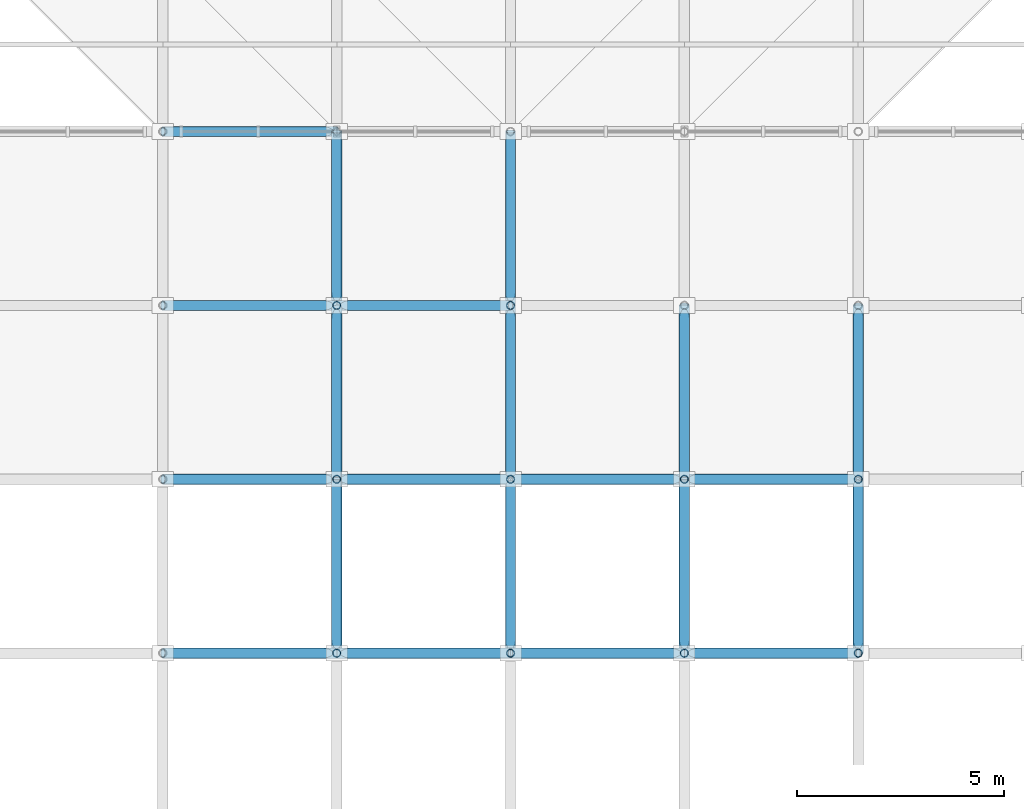
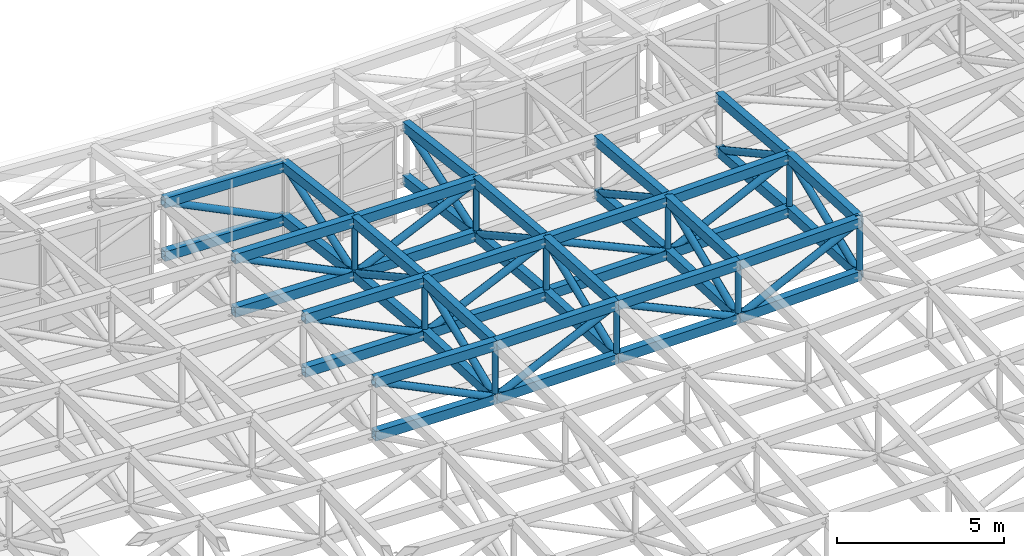
# One storey, part 51 of 111: 73 members.
"""IFC4 building model written with IfcOpenShell, lengths in metres."""

from ifc_helpers import new_model, si_unit, direction, frame, origin, origin_2d, place, context, subcontext, project, spatial, hollow_rectangle, hollow_circle, extrude, material, material_profile, profile_set, type_object, element, save


model = new_model("IFC4")

# Units and contexts
model_context = context("Model", 3, precision=1e-05, world=origin(), true_north=direction((0.0, 1.0)))
body_context = subcontext(model_context, "Body", "Model", "MODEL_VIEW")
ifc_project = project(units=[si_unit("LENGTHUNIT", "METRE"), si_unit("AREAUNIT", "SQUARE_METRE"), si_unit("VOLUMEUNIT", "CUBIC_METRE"), si_unit("PLANEANGLEUNIT", "RADIAN"), si_unit("MASSUNIT", "GRAM", prefix="KILO")], contexts=[model_context])

# Site, building, storey
site_placement = place(None, origin())
site = spatial("IfcSite", under=ifc_project, at=site_placement, CompositionType="ELEMENT")
building_placement = place(site_placement, origin())
building = spatial("IfcBuilding", under=site, at=building_placement, Name="Cumbredor Promenade Congress Hotel", CompositionType="ELEMENT")
storey_placement = place(building_placement, frame((0.0, 0.0, 15.1201171875)))
storey = spatial("IfcBuildingStorey", under=building, at=storey_placement, Name="L04", CompositionType="ELEMENT", Elevation=15.1201171875)

# Members
ifc_material = material(Name="Steel ASTM A500 Grade C", Category="steel")
ifc_material_profile_1 = material_profile(ifc_material, hollow_rectangle(XDim=0.25, YDim=0.35009765625, WallThickness=0.01611328125, at=origin_2d()), Name="HSS 350x250x16")
ifc_profile_set_1 = profile_set([ifc_material_profile_1], Name="Steel ASTM A500 Grade C")
member_type_1 = type_object("IfcMemberType", Name="Forum Roof Truss Chord", PredefinedType="CHORD", material=ifc_profile_set_1)
for number, where, z_axis, x_axis, name in (
    (1, (126.0, 105.0, 4.567626953125), (0.999732481716, 0.0, -0.023129310453), (0.0, 1.0, 0.0), "Pre-Function and Breakout Meeting Forum X Top Chord 10.7"),
    (2, (126.0, 105.0, 2.61767578125), (0.999732481716, 0.0, -0.023129310453), (0.0, 1.0, 0.0), "Pre-Function and Breakout Meeting Forum X Bottom Chord 10.7"),
):
    element("IfcMember", number, at=place(storey_placement, frame(where, z_axis=z_axis, x_axis=x_axis)), inside=storey, type_object=member_type_1, Name=name, PredefinedType="CHORD", context=body_context, shape_type="SweptSolid", body=[
        extrude(hollow_rectangle(XDim=0.25, YDim=0.35009765625, WallThickness=0.01611328125, at=origin_2d()), origin(), (0.0, 0.0, 1.0), 4.201171875),
    ])
for number, where, z_axis, x_axis, name in (
    (3, (130.199951171875, 105.0, 4.470458984375), (1.0, 0.0, 0.0), (0.0, 1.0, 0.0), "Pre-Function and Breakout Meeting Forum X Top Chord 11.7"),
    (4, (130.199951171875, 105.0, 2.5205078125), (1.0, 0.0, 0.0), (0.0, 1.0, 0.0), "Pre-Function and Breakout Meeting Forum X Bottom Chord 11.7"),
):
    element("IfcMember", number, at=place(storey_placement, frame(where, z_axis=z_axis, x_axis=x_axis)), inside=storey, type_object=member_type_1, Name=name, PredefinedType="CHORD", context=body_context, shape_type="SweptSolid", body=[
        extrude(hollow_rectangle(XDim=0.25, YDim=0.35009765625, WallThickness=0.01611328125, at=origin_2d()), origin(), (0.0, 0.0, 1.0), 4.199951171875),
    ])
for number, where, z_axis, x_axis, name in (
    (5, (134.39990234375, 105.0, 4.470458984375), (1.0, 0.0, 0.0), (0.0, 1.0, 0.0), "Pre-Function and Breakout Meeting Forum X Top Chord 12.7"),
    (6, (134.39990234375, 105.0, 2.5205078125), (1.0, 0.0, 0.0), (0.0, 1.0, 0.0), "Pre-Function and Breakout Meeting Forum X Bottom Chord 12.7"),
):
    element("IfcMember", number, at=place(storey_placement, frame(where, z_axis=z_axis, x_axis=x_axis)), inside=storey, type_object=member_type_1, Name=name, PredefinedType="CHORD", context=body_context, shape_type="SweptSolid", body=[
        extrude(hollow_rectangle(XDim=0.25, YDim=0.35009765625, WallThickness=0.01611328125, at=origin_2d()), origin(), (0.0, 0.0, 1.0), 4.2001953125),
    ])
for number, where, z_axis, x_axis, name in (
    (7, (138.60009765625, 105.0, 4.470458984375), (0.999732481716, 0.0, 0.023129310453), (0.0, 1.0, 0.0), "Pre-Function and Breakout Meeting Forum X Top Chord 13.7"),
    (8, (138.60009765625, 105.0, 2.5205078125), (0.999732481716, 0.0, 0.023129310453), (0.0, 1.0, 0.0), "Pre-Function and Breakout Meeting Forum X Bottom Chord 13.7"),
):
    element("IfcMember", number, at=place(storey_placement, frame(where, z_axis=z_axis, x_axis=x_axis)), inside=storey, type_object=member_type_1, Name=name, PredefinedType="CHORD", context=body_context, shape_type="SweptSolid", body=[
        extrude(hollow_rectangle(XDim=0.25, YDim=0.35009765625, WallThickness=0.01611328125, at=origin_2d()), origin(), (0.0, 0.0, 1.0), 4.201171875),
    ])
for number, where, z_axis, x_axis, name in (
    (9, (126.0, 109.199951171875, 4.353271484375), (0.999802446318, 0.0, -0.019876326027), (0.0, 1.0, 0.0), "Pre-Function and Breakout Meeting Forum X Top Chord 10.8"),
    (10, (126.0, 109.199951171875, 2.4033203125), (0.999801289689, 0.0, -0.019934420878), (0.0, 1.0, 0.0), "Pre-Function and Breakout Meeting Forum X Bottom Chord 10.8"),
):
    element("IfcMember", number, at=place(storey_placement, frame(where, z_axis=z_axis, x_axis=x_axis)), inside=storey, type_object=member_type_1, Name=name, PredefinedType="CHORD", context=body_context, shape_type="SweptSolid", body=[
        extrude(hollow_rectangle(XDim=0.25, YDim=0.35009765625, WallThickness=0.01611328125, at=origin_2d()), origin(), (0.0, 0.0, 1.0), 4.20068359375),
    ])
for number, where, z_axis, x_axis, name in (
    (11, (130.199951171875, 109.199951171875, 4.269775390625), (0.999978043808, 0.0, -0.00662660565), (0.0, 1.0, 0.0), "Pre-Function and Breakout Meeting Forum X Top Chord 11.8"),
    (12, (130.199951171875, 109.199951171875, 2.319580078125), (0.999978427302, 0.0, -0.006568480049), (0.0, 1.0, 0.0), "Pre-Function and Breakout Meeting Forum X Bottom Chord 11.8"),
):
    element("IfcMember", number, at=place(storey_placement, frame(where, z_axis=z_axis, x_axis=x_axis)), inside=storey, type_object=member_type_1, Name=name, PredefinedType="CHORD", context=body_context, shape_type="SweptSolid", body=[
        extrude(hollow_rectangle(XDim=0.25, YDim=0.35009765625, WallThickness=0.01611328125, at=origin_2d()), origin(), (0.0, 0.0, 1.0), 4.199951171875),
    ])
for number, where, z_axis, x_axis, name in (
    (13, (134.39990234375, 109.199951171875, 4.241943359375), (0.99997804636, 0.0, 0.006626220489), (0.0, 1.0, 0.0), "Pre-Function and Breakout Meeting Forum X Top Chord 12.8"),
    (14, (134.39990234375, 109.199951171875, 2.2919921875), (0.99997842981, 0.0, 0.006568098266), (0.0, 1.0, 0.0), "Pre-Function and Breakout Meeting Forum X Bottom Chord 12.8"),
):
    element("IfcMember", number, at=place(storey_placement, frame(where, z_axis=z_axis, x_axis=x_axis)), inside=storey, type_object=member_type_1, Name=name, PredefinedType="CHORD", context=body_context, shape_type="SweptSolid", body=[
        extrude(hollow_rectangle(XDim=0.25, YDim=0.35009765625, WallThickness=0.01611328125, at=origin_2d()), origin(), (0.0, 0.0, 1.0), 4.2001953125),
    ])
for number, where, z_axis, x_axis, name in (
    (15, (138.60009765625, 109.199951171875, 4.269775390625), (0.999802446318, 0.0, 0.019876326027), (0.0, 1.0, 0.0), "Pre-Function and Breakout Meeting Forum X Top Chord 13.8"),
    (16, (138.60009765625, 109.199951171875, 2.319580078125), (0.999801289689, 0.0, 0.019934420878), (0.0, 1.0, 0.0), "Pre-Function and Breakout Meeting Forum X Bottom Chord 13.8"),
):
    element("IfcMember", number, at=place(storey_placement, frame(where, z_axis=z_axis, x_axis=x_axis)), inside=storey, type_object=member_type_1, Name=name, PredefinedType="CHORD", context=body_context, shape_type="SweptSolid", body=[
        extrude(hollow_rectangle(XDim=0.25, YDim=0.35009765625, WallThickness=0.01611328125, at=origin_2d()), origin(), (0.0, 0.0, 1.0), 4.20068359375),
    ])
for number, where, z_axis, x_axis, name in (
    (17, (126.0, 113.39990234375, 3.99609375), (0.999709150504, 0.0, -0.024116682989), (0.0, 1.0, 0.0), "Pre-Function and Breakout Meeting Forum X Top Chord 10.9"),
    (18, (126.0, 113.39990234375, 2.046142578125), (0.999709150504, 0.0, -0.024116682989), (0.0, 1.0, 0.0), "Pre-Function and Breakout Meeting Forum X Bottom Chord 10.9"),
):
    element("IfcMember", number, at=place(storey_placement, frame(where, z_axis=z_axis, x_axis=x_axis)), inside=storey, type_object=member_type_1, Name=name, PredefinedType="CHORD", context=body_context, shape_type="SweptSolid", body=[
        extrude(hollow_rectangle(XDim=0.25, YDim=0.35009765625, WallThickness=0.01611328125, at=origin_2d()), origin(), (0.0, 0.0, 1.0), 4.201171875),
    ])
for number, where, z_axis, x_axis, name in (
    (19, (130.199951171875, 113.39990234375, 3.894775390625), (0.999967358511, 0.0, -0.008079722306), (0.0, 1.0, 0.0), "Pre-Function and Breakout Meeting Forum X Top Chord 11.9"),
    (20, (130.199951171875, 113.39990234375, 1.94482421875), (0.999967358511, 0.0, -0.008079722306), (0.0, 1.0, 0.0), "Pre-Function and Breakout Meeting Forum X Bottom Chord 11.9"),
):
    element("IfcMember", number, at=place(storey_placement, frame(where, z_axis=z_axis, x_axis=x_axis)), inside=storey, type_object=member_type_1, Name=name, PredefinedType="CHORD", context=body_context, shape_type="SweptSolid", body=[
        extrude(hollow_rectangle(XDim=0.25, YDim=0.35009765625, WallThickness=0.01611328125, at=origin_2d()), origin(), (0.0, 0.0, 1.0), 4.2001953125),
    ])
for number, where, z_axis, x_axis, name in (
    (21, (126.0, 117.60009765625, 3.49609375), (0.999546971061, 0.0, -0.03009738598), (0.0, 1.0, 0.0), "Pre-Function and Breakout Meeting Forum X Top Chord 10.10"),
    (22, (126.0, 117.60009765625, 1.546142578125), (0.999546971061, 0.0, -0.03009738598), (0.0, 1.0, 0.0), "Pre-Function and Breakout Meeting Forum X Bottom Chord 10.10"),
):
    element("IfcMember", number, at=place(storey_placement, frame(where, z_axis=z_axis, x_axis=x_axis)), inside=storey, type_object=member_type_1, Name=name, PredefinedType="CHORD", context=body_context, shape_type="SweptSolid", body=[
        extrude(hollow_rectangle(XDim=0.25, YDim=0.35009765625, WallThickness=0.01611328125, at=origin_2d()), origin(), (0.0, 0.0, 1.0), 4.201904296875),
    ])
for number, where, z_axis, x_axis, name in (
    (23, (130.199951171875, 105.0, 4.470458984375), (0.0, 0.998860373953, -0.047727909515), (-1.0, 0.0, 0.0), "Pre-Function and Breakout Meeting Forum Y Top Chord 11.7"),
    (24, (130.199951171875, 105.0, 2.5205078125), (0.0, 0.998857604206, -0.047785840159), (-1.0, 0.0, 0.0), "Pre-Function and Breakout Meeting Forum Y Bottom Chord 11.7"),
):
    element("IfcMember", number, at=place(storey_placement, frame(where, z_axis=z_axis, x_axis=x_axis)), inside=storey, type_object=member_type_1, Name=name, PredefinedType="CHORD", context=body_context, shape_type="SweptSolid", body=[
        extrude(hollow_rectangle(XDim=0.25, YDim=0.35009765625, WallThickness=0.01611328125, at=origin_2d()), origin(), (0.0, 0.0, 1.0), 4.204833984375),
    ])
for number, where, z_axis, x_axis, name in (
    (25, (130.199951171875, 109.199951171875, 4.269775390625), (0.0, 0.99603761373, -0.088932963709), (-1.0, 0.0, 0.0), "Pre-Function and Breakout Meeting Forum Y Top Chord 11.8"),
    (26, (130.199951171875, 109.199951171875, 2.319580078125), (0.0, 0.996042740833, -0.088875522129), (-1.0, 0.0, 0.0), "Pre-Function and Breakout Meeting Forum Y Bottom Chord 11.8"),
):
    element("IfcMember", number, at=place(storey_placement, frame(where, z_axis=z_axis, x_axis=x_axis)), inside=storey, type_object=member_type_1, Name=name, PredefinedType="CHORD", context=body_context, shape_type="SweptSolid", body=[
        extrude(hollow_rectangle(XDim=0.25, YDim=0.35009765625, WallThickness=0.01611328125, at=origin_2d()), origin(), (0.0, 0.0, 1.0), 4.216552734375),
    ])
for number, where, z_axis, x_axis, name in (
    (27, (130.199951171875, 113.39990234375, 3.894775390625), (0.0, 0.992274326956, -0.124063129347), (-1.0, 0.0, 0.0), "Pre-Function and Breakout Meeting Forum Y Top Chord 11.9"),
    (28, (130.199951171875, 113.39990234375, 1.94482421875), (0.0, 0.992274326956, -0.124063129347), (-1.0, 0.0, 0.0), "Pre-Function and Breakout Meeting Forum Y Bottom Chord 11.9"),
):
    element("IfcMember", number, at=place(storey_placement, frame(where, z_axis=z_axis, x_axis=x_axis)), inside=storey, type_object=member_type_1, Name=name, PredefinedType="CHORD", context=body_context, shape_type="SweptSolid", body=[
        extrude(hollow_rectangle(XDim=0.25, YDim=0.35009765625, WallThickness=0.01611328125, at=origin_2d()), origin(), (0.0, 0.0, 1.0), 4.23291015625),
    ])
for number, where, z_axis, x_axis, name in (
    (29, (134.39990234375, 105.0, 4.470458984375), (0.0, 0.998523102414, -0.054328757999), (-1.0, 0.0, 0.0), "Pre-Function and Breakout Meeting Forum Y Top Chord 12.7"),
    (30, (134.39990234375, 105.0, 2.5205078125), (0.0, 0.998523102414, -0.054328757999), (-1.0, 0.0, 0.0), "Pre-Function and Breakout Meeting Forum Y Bottom Chord 12.7"),
):
    element("IfcMember", number, at=place(storey_placement, frame(where, z_axis=z_axis, x_axis=x_axis)), inside=storey, type_object=member_type_1, Name=name, PredefinedType="CHORD", context=body_context, shape_type="SweptSolid", body=[
        extrude(hollow_rectangle(XDim=0.25, YDim=0.35009765625, WallThickness=0.01611328125, at=origin_2d()), origin(), (0.0, 0.0, 1.0), 4.2060546875),
    ])
for number, where, z_axis, x_axis, name in (
    (31, (134.39990234375, 109.199951171875, 4.241943359375), (0.0, 0.99590837713, -0.090368713405), (-1.0, 0.0, 0.0), "Pre-Function and Breakout Meeting Forum Y Top Chord 12.8"),
    (32, (134.39990234375, 109.199951171875, 2.2919921875), (0.0, 0.99590837713, -0.090368713405), (-1.0, 0.0, 0.0), "Pre-Function and Breakout Meeting Forum Y Bottom Chord 12.8"),
):
    element("IfcMember", number, at=place(storey_placement, frame(where, z_axis=z_axis, x_axis=x_axis)), inside=storey, type_object=member_type_1, Name=name, PredefinedType="CHORD", context=body_context, shape_type="SweptSolid", body=[
        extrude(hollow_rectangle(XDim=0.25, YDim=0.35009765625, WallThickness=0.01611328125, at=origin_2d()), origin(), (0.0, 0.0, 1.0), 4.21728515625),
    ])
for number, where, z_axis, x_axis, name in (
    (33, (134.39990234375, 113.39990234375, 3.86083984375), (0.0, 0.992038303878, -0.125936506375), (-1.0, 0.0, 0.0), "Pre-Function and Breakout Meeting Forum Y Top Chord 12.9"),
    (34, (134.39990234375, 113.39990234375, 1.910888671875), (0.0, 0.992038303878, -0.125936506375), (-1.0, 0.0, 0.0), "Pre-Function and Breakout Meeting Forum Y Bottom Chord 12.9"),
):
    element("IfcMember", number, at=place(storey_placement, frame(where, z_axis=z_axis, x_axis=x_axis)), inside=storey, type_object=member_type_1, Name=name, PredefinedType="CHORD", context=body_context, shape_type="SweptSolid", body=[
        extrude(hollow_rectangle(XDim=0.25, YDim=0.35009765625, WallThickness=0.01611328125, at=origin_2d()), origin(), (0.0, 0.0, 1.0), 4.23388671875),
    ])
for number, where, z_axis, x_axis, name in (
    (35, (138.60009765625, 105.0, 4.470458984375), (0.0, 0.998860373953, -0.047727909515), (-1.0, 0.0, 0.0), "Pre-Function and Breakout Meeting Forum Y Top Chord 13.7"),
    (36, (138.60009765625, 105.0, 2.5205078125), (0.0, 0.998857604206, -0.047785840159), (-1.0, 0.0, 0.0), "Pre-Function and Breakout Meeting Forum Y Bottom Chord 13.7"),
):
    element("IfcMember", number, at=place(storey_placement, frame(where, z_axis=z_axis, x_axis=x_axis)), inside=storey, type_object=member_type_1, Name=name, PredefinedType="CHORD", context=body_context, shape_type="SweptSolid", body=[
        extrude(hollow_rectangle(XDim=0.25, YDim=0.35009765625, WallThickness=0.01611328125, at=origin_2d()), origin(), (0.0, 0.0, 1.0), 4.204833984375),
    ])
for number, where, z_axis, x_axis, name in (
    (37, (138.60009765625, 109.199951171875, 4.269775390625), (0.0, 0.99603761373, -0.088932963709), (-1.0, 0.0, 0.0), "Pre-Function and Breakout Meeting Forum Y Top Chord 13.8"),
    (38, (138.60009765625, 109.199951171875, 2.319580078125), (0.0, 0.996042740833, -0.088875522129), (-1.0, 0.0, 0.0), "Pre-Function and Breakout Meeting Forum Y Bottom Chord 13.8"),
):
    element("IfcMember", number, at=place(storey_placement, frame(where, z_axis=z_axis, x_axis=x_axis)), inside=storey, type_object=member_type_1, Name=name, PredefinedType="CHORD", context=body_context, shape_type="SweptSolid", body=[
        extrude(hollow_rectangle(XDim=0.25, YDim=0.35009765625, WallThickness=0.01611328125, at=origin_2d()), origin(), (0.0, 0.0, 1.0), 4.216552734375),
    ])
for number, where, z_axis, x_axis, name in (
    (39, (142.800048828125, 105.0, 4.567626953125), (0.0, 0.998700120129, -0.050971266958), (-1.0, 0.0, 0.0), "Pre-Function and Breakout Meeting Forum Y Top Chord 14.7"),
    (40, (142.800048828125, 105.0, 2.61767578125), (0.0, 0.998700120129, -0.050971266958), (-1.0, 0.0, 0.0), "Pre-Function and Breakout Meeting Forum Y Bottom Chord 14.7"),
):
    element("IfcMember", number, at=place(storey_placement, frame(where, z_axis=z_axis, x_axis=x_axis)), inside=storey, type_object=member_type_1, Name=name, PredefinedType="CHORD", context=body_context, shape_type="SweptSolid", body=[
        extrude(hollow_rectangle(XDim=0.25, YDim=0.35009765625, WallThickness=0.01611328125, at=origin_2d()), origin(), (0.0, 0.0, 1.0), 4.205322265625),
    ])
for number, where, z_axis, x_axis, name in (
    (41, (142.800048828125, 109.199951171875, 4.353271484375), (0.0, 0.9964033157, -0.084737432475), (-1.0, 0.0, 0.0), "Pre-Function and Breakout Meeting Forum Y Top Chord 14.8"),
    (42, (142.800048828125, 109.199951171875, 2.4033203125), (0.0, 0.9964033157, -0.084737432475), (-1.0, 0.0, 0.0), "Pre-Function and Breakout Meeting Forum Y Bottom Chord 14.8"),
):
    element("IfcMember", number, at=place(storey_placement, frame(where, z_axis=z_axis, x_axis=x_axis)), inside=storey, type_object=member_type_1, Name=name, PredefinedType="CHORD", context=body_context, shape_type="SweptSolid", body=[
        extrude(hollow_rectangle(XDim=0.25, YDim=0.35009765625, WallThickness=0.01611328125, at=origin_2d()), origin(), (0.0, 0.0, 1.0), 4.215087890625),
    ])
ifc_material_profile_2 = material_profile(ifc_material, hollow_circle(Radius=0.122314453125, WallThickness=0.012451171875, at=origin_2d()), Name="CHS 244.5x12.5")
ifc_profile_set_2 = profile_set([ifc_material_profile_2], Name="Steel ASTM A500 Grade C")
member_type_2 = type_object("IfcMemberType", Name="Space Frame Web Diagonal D2", PredefinedType="BRACE", material=ifc_profile_set_2)
member_1_placement = place(storey_placement, frame((126.0, 105.0, 4.567626953125), z_axis=(0.898906503364, 0.0, -0.438140500535), x_axis=(0.0, 1.0, 0.0)))
element("IfcMember", 43, at=member_1_placement, inside=storey, type_object=member_type_2, Name="Pre-Function and Breakout Meeting Forum X Web Diagonal 10.7", PredefinedType="BRACE", context=body_context, shape_type="SweptSolid", body=[
    extrude(hollow_circle(Radius=0.122314453125, WallThickness=0.012451171875, at=origin_2d()), origin(), (0.0, 0.0, 1.0), 4.67236328125),
])
member_2_placement = place(storey_placement, frame((130.199951171875, 105.0, 2.5205078125), z_axis=(0.907011125382, 0.0, 0.421106659212), x_axis=(0.0, 1.0, 0.0)))
element("IfcMember", 44, at=member_2_placement, inside=storey, type_object=member_type_2, Name="Pre-Function and Breakout Meeting Forum X Web Diagonal 11.7", PredefinedType="BRACE", context=body_context, shape_type="SweptSolid", body=[
    extrude(hollow_circle(Radius=0.122314453125, WallThickness=0.012451171875, at=origin_2d()), origin(), (0.0, 0.0, 1.0), 4.630615234375),
])
member_3_placement = place(storey_placement, frame((134.39990234375, 105.0, 4.470458984375), z_axis=(0.907020474303, 0.0, -0.421086522219), x_axis=(0.0, 1.0, 0.0)))
element("IfcMember", 45, at=member_3_placement, inside=storey, type_object=member_type_2, Name="Pre-Function and Breakout Meeting Forum X Web Diagonal 12.7", PredefinedType="BRACE", context=body_context, shape_type="SweptSolid", body=[
    extrude(hollow_circle(Radius=0.122314453125, WallThickness=0.012451171875, at=origin_2d()), origin(), (0.0, 0.0, 1.0), 4.630859375),
])
member_4_placement = place(storey_placement, frame((138.60009765625, 105.0, 2.5205078125), z_axis=(0.898906503364, 0.0, 0.438140500535), x_axis=(0.0, 1.0, 0.0)))
element("IfcMember", 46, at=member_4_placement, inside=storey, type_object=member_type_2, Name="Pre-Function and Breakout Meeting Forum X Web Diagonal 13.7", PredefinedType="BRACE", context=body_context, shape_type="SweptSolid", body=[
    extrude(hollow_circle(Radius=0.122314453125, WallThickness=0.012451171875, at=origin_2d()), origin(), (0.0, 0.0, 1.0), 4.67236328125),
])
member_5_placement = place(storey_placement, frame((126.0, 109.199951171875, 4.353271484375), z_axis=(0.900036800937, 0.0, -0.43581390175), x_axis=(0.0, 1.0, 0.0)))
element("IfcMember", 47, at=member_5_placement, inside=storey, type_object=member_type_2, Name="Pre-Function and Breakout Meeting Forum X Web Diagonal 10.8", PredefinedType="BRACE", context=body_context, shape_type="SweptSolid", body=[
    extrude(hollow_circle(Radius=0.122314453125, WallThickness=0.012451171875, at=origin_2d()), origin(), (0.0, 0.0, 1.0), 4.66650390625),
])
member_6_placement = place(storey_placement, frame((130.199951171875, 109.199951171875, 2.319580078125), z_axis=(0.909279083438, 0.0, 0.416186915247), x_axis=(0.0, 1.0, 0.0)))
element("IfcMember", 48, at=member_6_placement, inside=storey, type_object=member_type_2, Name="Pre-Function and Breakout Meeting Forum X Web Diagonal 11.8", PredefinedType="BRACE", context=body_context, shape_type="SweptSolid", body=[
    extrude(hollow_circle(Radius=0.122314453125, WallThickness=0.012451171875, at=origin_2d()), origin(), (0.0, 0.0, 1.0), 4.618896484375),
])
member_7_placement = place(storey_placement, frame((134.39990234375, 109.199951171875, 4.241943359375), z_axis=(0.90928823802, 0.0, -0.416166913867), x_axis=(0.0, 1.0, 0.0)))
element("IfcMember", 49, at=member_7_placement, inside=storey, type_object=member_type_2, Name="Pre-Function and Breakout Meeting Forum X Web Diagonal 12.8", PredefinedType="BRACE", context=body_context, shape_type="SweptSolid", body=[
    extrude(hollow_circle(Radius=0.122314453125, WallThickness=0.012451171875, at=origin_2d()), origin(), (0.0, 0.0, 1.0), 4.619140625),
])
member_8_placement = place(storey_placement, frame((138.60009765625, 109.199951171875, 2.319580078125), z_axis=(0.900036800937, 0.0, 0.43581390175), x_axis=(0.0, 1.0, 0.0)))
element("IfcMember", 50, at=member_8_placement, inside=storey, type_object=member_type_2, Name="Pre-Function and Breakout Meeting Forum X Web Diagonal 13.8", PredefinedType="BRACE", context=body_context, shape_type="SweptSolid", body=[
    extrude(hollow_circle(Radius=0.122314453125, WallThickness=0.012451171875, at=origin_2d()), origin(), (0.0, 0.0, 1.0), 4.66650390625),
])
member_9_placement = place(storey_placement, frame((126.0, 113.39990234375, 3.99609375), z_axis=(0.89855649897, 0.0, -0.43885785644), x_axis=(0.0, 1.0, 0.0)))
element("IfcMember", 51, at=member_9_placement, inside=storey, type_object=member_type_2, Name="Pre-Function and Breakout Meeting Forum X Web Diagonal 10.9", PredefinedType="BRACE", context=body_context, shape_type="SweptSolid", body=[
    extrude(hollow_circle(Radius=0.122314453125, WallThickness=0.012451171875, at=origin_2d()), origin(), (0.0, 0.0, 1.0), 4.674072265625),
])
member_10_placement = place(storey_placement, frame((130.199951171875, 113.39990234375, 1.94482421875), z_axis=(0.90979872818, 0.0, 0.415049724976), x_axis=(0.0, 1.0, 0.0)))
element("IfcMember", 52, at=member_10_placement, inside=storey, type_object=member_type_2, Name="Pre-Function and Breakout Meeting Forum X Web Diagonal 11.9", PredefinedType="BRACE", context=body_context, shape_type="SweptSolid", body=[
    extrude(hollow_circle(Radius=0.122314453125, WallThickness=0.012451171875, at=origin_2d()), origin(), (0.0, 0.0, 1.0), 4.616455078125),
])
member_11_placement = place(storey_placement, frame((126.0, 117.60009765625, 3.49609375), z_axis=(0.89642954825, 0.0, -0.443186264481), x_axis=(0.0, 1.0, 0.0)))
element("IfcMember", 53, at=member_11_placement, inside=storey, type_object=member_type_2, Name="Pre-Function and Breakout Meeting Forum X Web Diagonal 10.10", PredefinedType="BRACE", context=body_context, shape_type="SweptSolid", body=[
    extrude(hollow_circle(Radius=0.122314453125, WallThickness=0.012451171875, at=origin_2d()), origin(), (0.0, 0.0, 1.0), 4.685302734375),
])
member_12_placement = place(storey_placement, frame((130.199951171875, 105.0, 2.5205078125), z_axis=(0.0, 0.923132479706, 0.384482021571), x_axis=(-1.0, 0.0, 0.0)))
element("IfcMember", 54, at=member_12_placement, inside=storey, type_object=member_type_2, Name="Pre-Function and Breakout Meeting Forum Y Web Diagonal 11.7", PredefinedType="BRACE", context=body_context, shape_type="SweptSolid", body=[
    extrude(hollow_circle(Radius=0.122314453125, WallThickness=0.012451171875, at=origin_2d()), origin(), (0.0, 0.0, 1.0), 4.549560546875),
])
member_13_placement = place(storey_placement, frame((130.199951171875, 109.199951171875, 4.269775390625), z_axis=(0.0, 0.874895132079, -0.4843124073), x_axis=(-1.0, 0.0, 0.0)))
element("IfcMember", 55, at=member_13_placement, inside=storey, type_object=member_type_2, Name="Pre-Function and Breakout Meeting Forum Y Web Diagonal 11.8", PredefinedType="BRACE", context=body_context, shape_type="SweptSolid", body=[
    extrude(hollow_circle(Radius=0.122314453125, WallThickness=0.012451171875, at=origin_2d()), origin(), (0.0, 0.0, 1.0), 4.800537109375),
])
member_14_placement = place(storey_placement, frame((130.199951171875, 113.39990234375, 1.94482421875), z_axis=(0.0, 0.946996643209, 0.321243455578), x_axis=(-1.0, 0.0, 0.0)))
element("IfcMember", 56, at=member_14_placement, inside=storey, type_object=member_type_2, Name="Pre-Function and Breakout Meeting Forum Y Web Diagonal 11.9", PredefinedType="BRACE", context=body_context, shape_type="SweptSolid", body=[
    extrude(hollow_circle(Radius=0.122314453125, WallThickness=0.012451171875, at=origin_2d()), origin(), (0.0, 0.0, 1.0), 4.435302734375),
])
member_15_placement = place(storey_placement, frame((134.39990234375, 105.0, 2.5205078125), z_axis=(0.0, 0.92529399972, 0.379250595363), x_axis=(-1.0, 0.0, 0.0)))
element("IfcMember", 57, at=member_15_placement, inside=storey, type_object=member_type_2, Name="Pre-Function and Breakout Meeting Forum Y Web Diagonal 12.7", PredefinedType="BRACE", context=body_context, shape_type="SweptSolid", body=[
    extrude(hollow_circle(Radius=0.122314453125, WallThickness=0.012451171875, at=origin_2d()), origin(), (0.0, 0.0, 1.0), 4.5390625),
])
member_16_placement = place(storey_placement, frame((134.39990234375, 109.199951171875, 4.241943359375), z_axis=(0.0, 0.874356190533, -0.485284712388), x_axis=(-1.0, 0.0, 0.0)))
element("IfcMember", 58, at=member_16_placement, inside=storey, type_object=member_type_2, Name="Pre-Function and Breakout Meeting Forum Y Web Diagonal 12.8", PredefinedType="BRACE", context=body_context, shape_type="SweptSolid", body=[
    extrude(hollow_circle(Radius=0.122314453125, WallThickness=0.012451171875, at=origin_2d()), origin(), (0.0, 0.0, 1.0), 4.803466796875),
])
member_17_placement = place(storey_placement, frame((134.39990234375, 113.39990234375, 1.910888671875), z_axis=(0.0, 0.94754816837, 0.319612998201), x_axis=(-1.0, 0.0, 0.0)))
element("IfcMember", 59, at=member_17_placement, inside=storey, type_object=member_type_2, Name="Pre-Function and Breakout Meeting Forum Y Web Diagonal 12.9", PredefinedType="BRACE", context=body_context, shape_type="SweptSolid", body=[
    extrude(hollow_circle(Radius=0.122314453125, WallThickness=0.012451171875, at=origin_2d()), origin(), (0.0, 0.0, 1.0), 4.4326171875),
])
member_18_placement = place(storey_placement, frame((138.60009765625, 105.0, 2.5205078125), z_axis=(0.0, 0.923132479706, 0.384482021571), x_axis=(-1.0, 0.0, 0.0)))
element("IfcMember", 60, at=member_18_placement, inside=storey, type_object=member_type_2, Name="Pre-Function and Breakout Meeting Forum Y Web Diagonal 13.7", PredefinedType="BRACE", context=body_context, shape_type="SweptSolid", body=[
    extrude(hollow_circle(Radius=0.122314453125, WallThickness=0.012451171875, at=origin_2d()), origin(), (0.0, 0.0, 1.0), 4.549560546875),
])
member_19_placement = place(storey_placement, frame((138.60009765625, 109.199951171875, 4.269775390625), z_axis=(0.0, 0.874895132079, -0.4843124073), x_axis=(-1.0, 0.0, 0.0)))
element("IfcMember", 61, at=member_19_placement, inside=storey, type_object=member_type_2, Name="Pre-Function and Breakout Meeting Forum Y Web Diagonal 13.8", PredefinedType="BRACE", context=body_context, shape_type="SweptSolid", body=[
    extrude(hollow_circle(Radius=0.122314453125, WallThickness=0.012451171875, at=origin_2d()), origin(), (0.0, 0.0, 1.0), 4.800537109375),
])
member_20_placement = place(storey_placement, frame((142.800048828125, 105.0, 2.61767578125), z_axis=(0.0, 0.92419671572, 0.381916784983), x_axis=(-1.0, 0.0, 0.0)))
element("IfcMember", 62, at=member_20_placement, inside=storey, type_object=member_type_2, Name="Pre-Function and Breakout Meeting Forum Y Web Diagonal 14.7", PredefinedType="BRACE", context=body_context, shape_type="SweptSolid", body=[
    extrude(hollow_circle(Radius=0.122314453125, WallThickness=0.012451171875, at=origin_2d()), origin(), (0.0, 0.0, 1.0), 4.54443359375),
])
member_21_placement = place(storey_placement, frame((142.800048828125, 109.199951171875, 4.353271484375), z_axis=(0.0, 0.876466425327, -0.481462984325), x_axis=(-1.0, 0.0, 0.0)))
element("IfcMember", 63, at=member_21_placement, inside=storey, type_object=member_type_2, Name="Pre-Function and Breakout Meeting Forum Y Web Diagonal 14.8", PredefinedType="BRACE", context=body_context, shape_type="SweptSolid", body=[
    extrude(hollow_circle(Radius=0.122314453125, WallThickness=0.012451171875, at=origin_2d()), origin(), (0.0, 0.0, 1.0), 4.7919921875),
])
ifc_material_profile_3 = material_profile(ifc_material, hollow_circle(Radius=0.096923828125, WallThickness=0.010009765625, at=origin_2d()), Name="CHS 193.7x10")
ifc_profile_set_3 = profile_set([ifc_material_profile_3], Name="Steel ASTM A500 Grade C")
member_type_3 = type_object("IfcMemberType", Name="Space Frame Web Post P1", PredefinedType="BRACE", material=ifc_profile_set_3)
member_22_placement = place(storey_placement, frame((130.199951171875, 105.0, 2.5205078125), z_axis=(0.0, 0.0, 1.0), x_axis=(1.0, 0.0, 0.0)))
element("IfcMember", 64, at=member_22_placement, inside=storey, type_object=member_type_3, Name="Pre-Function and Breakout Meeting Forum Space Frame Web Post 11.7", PredefinedType="BRACE", context=body_context, shape_type="SweptSolid", body=[
    extrude(hollow_circle(Radius=0.096923828125, WallThickness=0.010009765625, at=origin_2d()), origin(), (0.0, 0.0, 1.0), 1.949951171875),
])
member_23_placement = place(storey_placement, frame((130.199951171875, 109.199951171875, 2.319580078125), z_axis=(0.0, 0.0, 1.0), x_axis=(1.0, 0.0, 0.0)))
element("IfcMember", 65, at=member_23_placement, inside=storey, type_object=member_type_3, Name="Pre-Function and Breakout Meeting Forum Space Frame Web Post 11.8", PredefinedType="BRACE", context=body_context, shape_type="SweptSolid", body=[
    extrude(hollow_circle(Radius=0.096923828125, WallThickness=0.010009765625, at=origin_2d()), origin(), (0.0, 0.0, 1.0), 1.9501953125),
])
for number, where, z_axis, x_axis, name in (
    (66, (130.199951171875, 113.39990234375, 1.94482421875), (0.0, 0.0, 1.0), (1.0, 0.0, 0.0), "Pre-Function and Breakout Meeting Forum Space Frame Web Post 11.9"),
    (67, (134.39990234375, 105.0, 2.5205078125), (0.0, 0.0, 1.0), (1.0, 0.0, 0.0), "Pre-Function and Breakout Meeting Forum Space Frame Web Post 12.7"),
    (68, (134.39990234375, 109.199951171875, 2.2919921875), (0.0, 0.0, 1.0), (1.0, 0.0, 0.0), "Pre-Function and Breakout Meeting Forum Space Frame Web Post 12.8"),
    (69, (134.39990234375, 113.39990234375, 1.910888671875), (0.0, 0.0, 1.0), (1.0, 0.0, 0.0), "Pre-Function and Breakout Meeting Forum Space Frame Web Post 12.9"),
    (70, (138.60009765625, 105.0, 2.5205078125), (0.0, 0.0, 1.0), (1.0, 0.0, 0.0), "Pre-Function and Breakout Meeting Forum Space Frame Web Post 13.7"),
):
    element("IfcMember", number, at=place(storey_placement, frame(where, z_axis=z_axis, x_axis=x_axis)), inside=storey, type_object=member_type_3, Name=name, PredefinedType="BRACE", context=body_context, shape_type="SweptSolid", body=[
        extrude(hollow_circle(Radius=0.096923828125, WallThickness=0.010009765625, at=origin_2d()), origin(), (0.0, 0.0, 1.0), 1.949951171875),
    ])
member_24_placement = place(storey_placement, frame((138.60009765625, 109.199951171875, 2.319580078125), z_axis=(0.0, 0.0, 1.0), x_axis=(1.0, 0.0, 0.0)))
element("IfcMember", 71, at=member_24_placement, inside=storey, type_object=member_type_3, Name="Pre-Function and Breakout Meeting Forum Space Frame Web Post 13.8", PredefinedType="BRACE", context=body_context, shape_type="SweptSolid", body=[
    extrude(hollow_circle(Radius=0.096923828125, WallThickness=0.010009765625, at=origin_2d()), origin(), (0.0, 0.0, 1.0), 1.9501953125),
])
for number, where, z_axis, x_axis, name in (
    (72, (142.800048828125, 105.0, 2.61767578125), (0.0, 0.0, 1.0), (1.0, 0.0, 0.0), "Pre-Function and Breakout Meeting Forum Space Frame Web Post 14.7"),
    (73, (142.800048828125, 109.199951171875, 2.4033203125), (0.0, 0.0, 1.0), (1.0, 0.0, 0.0), "Pre-Function and Breakout Meeting Forum Space Frame Web Post 14.8"),
):
    element("IfcMember", number, at=place(storey_placement, frame(where, z_axis=z_axis, x_axis=x_axis)), inside=storey, type_object=member_type_3, Name=name, PredefinedType="BRACE", context=body_context, shape_type="SweptSolid", body=[
        extrude(hollow_circle(Radius=0.096923828125, WallThickness=0.010009765625, at=origin_2d()), origin(), (0.0, 0.0, 1.0), 1.949951171875),
    ])

save(model, "model.ifc")
